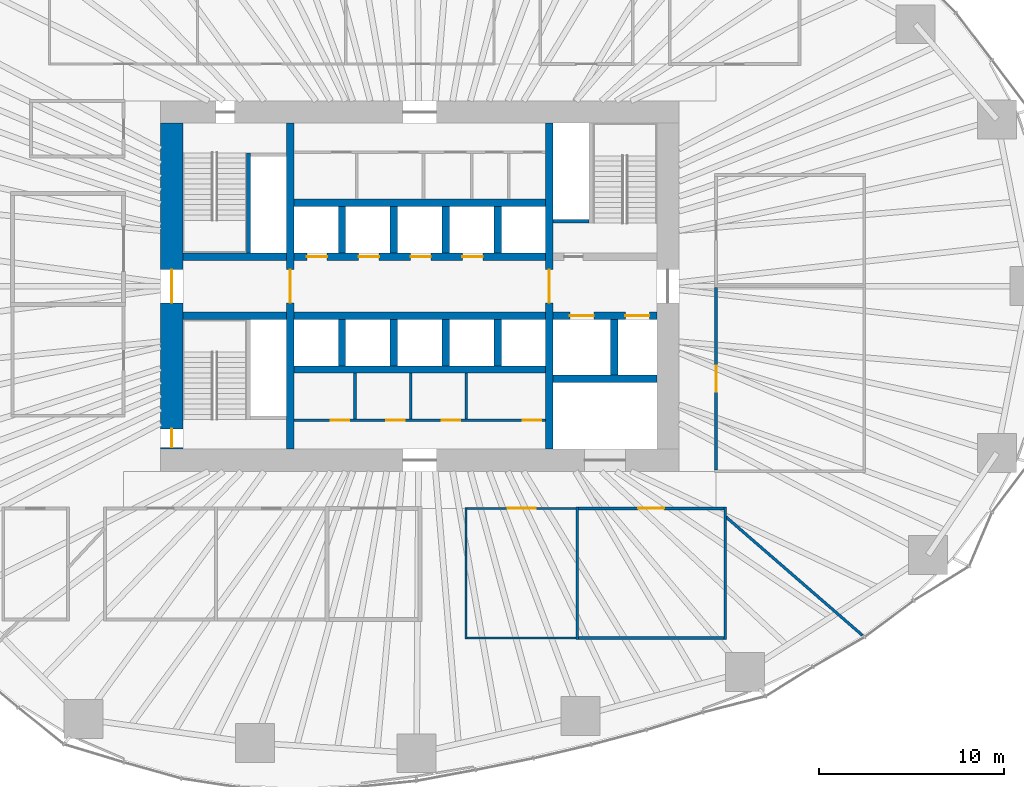
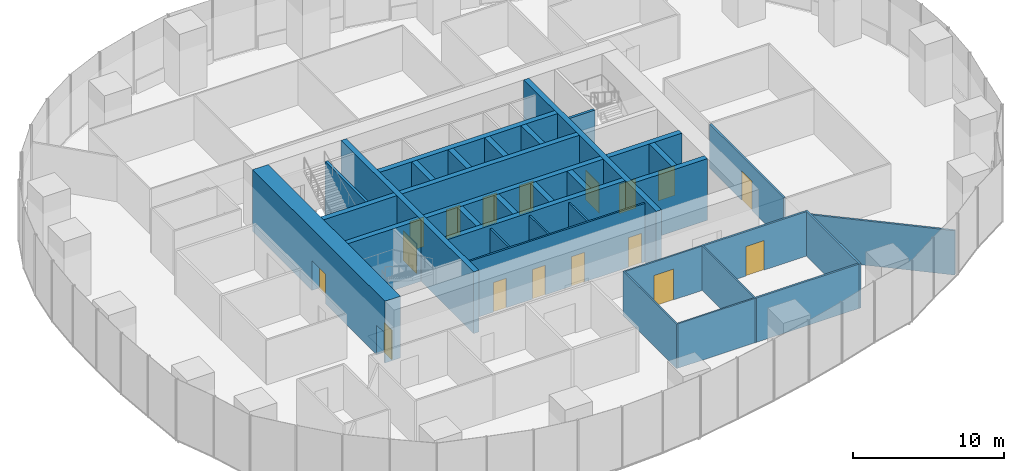
# One storey, part 10 of 20: 35 walls, 17 doors, 17 openings.
"""IFC4 building model written with IfcOpenShell, lengths in metres."""

from ifc_helpers import new_model, si_unit, direction, frame, frame_2d, origin, place, context, subcontext, project, spatial, rectangle, extrude, material, layer, layer_set, type_object, element, fill, save


model = new_model("IFC4")

# Units and contexts
model_context = context("Model", 3, precision=1e-05, world=origin(), true_north=direction((0.0, 1.0)))
body_context = subcontext(model_context, "Body", "Model", "MODEL_VIEW")
ifc_project = project(units=[si_unit("LENGTHUNIT", "METRE"), si_unit("AREAUNIT", "SQUARE_METRE"), si_unit("VOLUMEUNIT", "CUBIC_METRE"), si_unit("PLANEANGLEUNIT", "RADIAN"), si_unit("MASSUNIT", "GRAM", prefix="KILO")], contexts=[model_context])

# Site, building, storey
site_placement = place(None, origin())
site = spatial("IfcSite", under=ifc_project, at=site_placement, CompositionType="ELEMENT")
building_placement = place(site_placement, origin())
building = spatial("IfcBuilding", under=site, at=building_placement, Name="Ghaith Harvest Tower", CompositionType="ELEMENT")
storey_placement = place(building_placement, frame((0.0, 0.0, 30.0)))
storey = spatial("IfcBuildingStorey", under=building, at=storey_placement, Name="L06", CompositionType="ELEMENT", Elevation=30.0)

# Wall, openings, doors
ifc_material_1 = material(Name="Concrete blockwork, fair-faced", Category="masonry")
ifc_layer_1 = layer(ifc_material_1, 0.139892578125)
ifc_layer_set_1 = layer_set([ifc_layer_1], Name="CORE PARTITION 140")
wall_type_1 = type_object("IfcWallType", Name="CORE PARTITION 140", PredefinedType="PARTITIONING", material=ifc_layer_set_1)
wall_1_placement = place(storey_placement, frame((-6.800048828125, -7.22998046875, 0.0), z_axis=(0.0, 0.0, 1.0), x_axis=(1.0, 0.0, 0.0)))
wall_1 = element("IfcWall", 1, at=wall_1_placement, inside=storey, type_object=wall_type_1, Name="Core partition L06", PredefinedType="PARTITIONING", context=body_context, shape_type="SweptSolid", body=[
    extrude(rectangle(XDim=13.60009765625, YDim=0.139892578125, at=frame_2d((6.800048828125, 0.0))), origin(), (0.0, 0.0, 1.0), 4.75),
])
opening_1_placement = place(wall_1_placement, frame((1.97998046875, 0.0, 0.0)))
opening_1 = element("IfcOpeningElement", 2, at=opening_1_placement, cuts=wall_1, Name="Opening 06-013", PredefinedType="OPENING", context=body_context, shape_type="SweptSolid", body=[
    extrude(rectangle(XDim=1.0, YDim=2.39990234375, at=frame_2d((0.5, 1.199951171875))), frame((0.0, 0.080078125, 0.0), z_axis=(0.0, -1.0, 0.0), x_axis=(1.0, 0.0, 0.0)), (0.0, 0.0, 1.0), 0.159912109375),
])
opening_2_placement = place(wall_1_placement, frame((4.97998046875, 0.0, 0.0)))
opening_2 = element("IfcOpeningElement", 3, at=opening_2_placement, cuts=wall_1, Name="Opening 06-014", PredefinedType="OPENING", context=body_context, shape_type="SweptSolid", body=[
    extrude(rectangle(XDim=1.0, YDim=2.39990234375, at=frame_2d((0.5, 1.199951171875))), frame((0.0, 0.080078125, 0.0), z_axis=(0.0, -1.0, 0.0), x_axis=(1.0, 0.0, 0.0)), (0.0, 0.0, 1.0), 0.159912109375),
])
opening_3_placement = place(wall_1_placement, frame((7.97998046875, 0.0, 0.0)))
opening_3 = element("IfcOpeningElement", 4, at=opening_3_placement, cuts=wall_1, Name="Opening 06-015", PredefinedType="OPENING", context=body_context, shape_type="SweptSolid", body=[
    extrude(rectangle(XDim=1.0, YDim=2.39990234375, at=frame_2d((0.5, 1.199951171875))), frame((0.0, 0.080078125, 0.0), z_axis=(0.0, -1.0, 0.0), x_axis=(1.0, 0.0, 0.0)), (0.0, 0.0, 1.0), 0.159912109375),
])
opening_4_placement = place(wall_1_placement, frame((12.35009765625, 0.0, 0.0)))
opening_4 = element("IfcOpeningElement", 5, at=opening_4_placement, cuts=wall_1, Name="Opening 06-016", PredefinedType="OPENING", context=body_context, shape_type="SweptSolid", body=[
    extrude(rectangle(XDim=1.0, YDim=2.39990234375, at=frame_2d((0.5, 1.199951171875))), frame((0.0, 0.080078125, 0.0), z_axis=(0.0, -1.0, 0.0), x_axis=(1.0, 0.0, 0.0)), (0.0, 0.0, 1.0), 0.159912109375),
])
ifc_material_2 = material(Name="Steel fire door", Category="steel")
door_type_1 = type_object("IfcDoorType", Name="D3 FD90 1000x2400", OperationType="SINGLE_SWING_LEFT", PredefinedType="DOOR", material=ifc_material_2)
door_1_placement = place(opening_1_placement, origin())
door_1 = element("IfcDoor", 6, at=door_1_placement, inside=storey, type_object=door_type_1, Name="Electrical room door", OperationType="SINGLE_SWING_LEFT", OverallHeight=2.39990234375, OverallWidth=1.0, PredefinedType="DOOR", context=body_context, shape_type="SweptSolid", body=[
    extrude(rectangle(XDim=1.0, YDim=2.39990234375, at=frame_2d((0.5, 1.199951171875))), frame((0.0, 0.02490234375, 0.0), z_axis=(0.0, -1.0, 0.0), x_axis=(1.0, 0.0, 0.0)), (0.0, 0.0, 1.0), 0.050048828125),
])
fill(opening_1, door_1)
door_2_placement = place(opening_2_placement, origin())
door_2 = element("IfcDoor", 7, at=door_2_placement, inside=storey, type_object=door_type_1, Name="IT equipment room door", OperationType="SINGLE_SWING_LEFT", OverallHeight=2.39990234375, OverallWidth=1.0, PredefinedType="DOOR", context=body_context, shape_type="SweptSolid", body=[
    extrude(rectangle(XDim=1.0, YDim=2.39990234375, at=frame_2d((0.5, 1.199951171875))), frame((0.0, 0.02490234375, 0.0), z_axis=(0.0, -1.0, 0.0), x_axis=(1.0, 0.0, 0.0)), (0.0, 0.0, 1.0), 0.050048828125),
])
fill(opening_2, door_2)
door_3_placement = place(opening_3_placement, origin())
door_3 = element("IfcDoor", 8, at=door_3_placement, inside=storey, type_object=door_type_1, Name="Tea point door", OperationType="SINGLE_SWING_RIGHT", OverallHeight=2.39990234375, OverallWidth=1.0, PredefinedType="DOOR", context=body_context, shape_type="SweptSolid", body=[
    extrude(rectangle(XDim=1.0, YDim=2.39990234375, at=frame_2d((0.5, 1.199951171875))), frame((0.0, 0.02490234375, 0.0), z_axis=(0.0, -1.0, 0.0), x_axis=(1.0, 0.0, 0.0)), (0.0, 0.0, 1.0), 0.050048828125),
])
fill(opening_3, door_3)
door_4_placement = place(opening_4_placement, origin())
door_4 = element("IfcDoor", 9, at=door_4_placement, inside=storey, type_object=door_type_1, Name="Riser room door", OperationType="SINGLE_SWING_RIGHT", OverallHeight=2.39990234375, OverallWidth=1.0, PredefinedType="DOOR", context=body_context, shape_type="SweptSolid", body=[
    extrude(rectangle(XDim=1.0, YDim=2.39990234375, at=frame_2d((0.5, 1.199951171875))), frame((0.0, 0.02490234375, 0.0), z_axis=(0.0, -1.0, 0.0), x_axis=(1.0, 0.0, 0.0)), (0.0, 0.0, 1.0), 0.050048828125),
])
fill(opening_4, door_4)

# Walls
for number, where, z_axis, x_axis, name in (
    (10, (-3.5, -4.699951171875, 0.0), (0.0, 0.0, 1.0), (0.0, -1.0, 0.0), "Core partition L06"),
    (11, (-0.5, -4.699951171875, 0.0), (0.0, 0.0, 1.0), (0.0, -1.0, 0.0), "Core partition L06"),
    (12, (2.5, -4.699951171875, 0.0), (0.0, 0.0, 1.0), (0.0, -1.0, 0.0), "Core partition L06"),
):
    element("IfcWall", number, at=place(storey_placement, frame(where, z_axis=z_axis, x_axis=x_axis)), inside=storey, type_object=wall_type_1, Name=name, PredefinedType="PARTITIONING", context=body_context, shape_type="SweptSolid", body=[
        extrude(rectangle(XDim=2.4599609375, YDim=0.139892578125, at=frame_2d((1.22998046875, 0.0))), origin(), (0.0, 0.0, 1.0), 4.75),
    ])

# Wall, openings, doors
ifc_material_3 = material(Name="Concrete C70/85", Category="concrete")
ifc_layer_2 = layer(ifc_material_3, 1.199951171875)
ifc_layer_set_2 = layer_set([ifc_layer_2], Name="CORE WALL CW1200")
wall_type_2 = type_object("IfcWallType", Name="CORE WALL CW1200", PredefinedType="SHEAR", material=ifc_layer_set_2)
wall_2_placement = place(storey_placement, frame((-13.39990234375, 8.800048828125, 0.0), z_axis=(0.0, 0.0, 1.0), x_axis=(0.0, -1.0, 0.0)))
wall_2 = element("IfcWall", 13, at=wall_2_placement, inside=storey, type_object=wall_type_2, Name="Core wall W L06", PredefinedType="SHEAR", context=body_context, shape_type="SweptSolid", body=[
    extrude(rectangle(XDim=17.60009765625, YDim=1.199951171875, at=frame_2d((8.800048828125, 0.0))), origin(), (0.0, 0.0, 1.0), 5.0),
])
opening_5_placement = place(wall_2_placement, frame((7.89990234375, 0.0, 0.0)))
opening_5 = element("IfcOpeningElement", 14, at=opening_5_placement, cuts=wall_2, Name="Opening 06-001", PredefinedType="OPENING", context=body_context, shape_type="SweptSolid", body=[
    extrude(rectangle(XDim=1.800048828125, YDim=2.39990234375, at=frame_2d((0.89990234375, 1.199951171875))), frame((0.0, 0.60986328125, 0.0), z_axis=(0.0, -1.0, 0.0), x_axis=(1.0, 0.0, 0.0)), (0.0, 0.0, 1.0), 1.219970703125),
])
opening_6_placement = place(wall_2_placement, frame((16.5, 0.0, 0.0)))
opening_6 = element("IfcOpeningElement", 15, at=opening_6_placement, cuts=wall_2, Name="Opening 06-006", PredefinedType="OPENING", context=body_context, shape_type="SweptSolid", body=[
    extrude(rectangle(XDim=1.0, YDim=2.39990234375, at=frame_2d((0.5, 1.199951171875))), frame((0.0, 0.60986328125, 0.0), z_axis=(0.0, -1.0, 0.0), x_axis=(1.0, 0.0, 0.0)), (0.0, 0.0, 1.0), 1.219970703125),
])
door_5_placement = place(opening_6_placement, origin())
door_5 = element("IfcDoor", 16, at=door_5_placement, inside=storey, type_object=door_type_1, Name="Stair ST3 door", OperationType="SINGLE_SWING_RIGHT", OverallHeight=2.39990234375, OverallWidth=1.0, PredefinedType="DOOR", context=body_context, shape_type="SweptSolid", body=[
    extrude(rectangle(XDim=1.0, YDim=2.39990234375, at=frame_2d((0.5, 1.199951171875))), frame((0.0, 0.02490234375, 0.0), z_axis=(0.0, -1.0, 0.0), x_axis=(1.0, 0.0, 0.0)), (0.0, 0.0, 1.0), 0.050048828125),
])
fill(opening_6, door_5)
ifc_material_4 = material(Name="Steel fire door", Category="steel")
door_type_2 = type_object("IfcDoorType", Name="D4 FD90 PAIR 1800x2400", OperationType="DOUBLE_DOOR_SINGLE_SWING", PredefinedType="DOOR", material=ifc_material_4)
door_6_placement = place(opening_5_placement, origin())
door_6 = element("IfcDoor", 17, at=door_6_placement, inside=storey, type_object=door_type_2, Name="West lobby doors", OperationType="DOUBLE_DOOR_SINGLE_SWING", OverallHeight=2.39990234375, OverallWidth=1.800048828125, PredefinedType="DOOR", context=body_context, shape_type="SweptSolid", body=[
    extrude(rectangle(XDim=1.800048828125, YDim=2.39990234375, at=frame_2d((0.89990234375, 1.199951171875))), frame((0.0, 0.02490234375, 0.0), z_axis=(0.0, -1.0, 0.0), x_axis=(1.0, 0.0, 0.0)), (0.0, 0.0, 1.0), 0.050048828125),
])
fill(opening_5, door_6)

# Walls
ifc_material_5 = material(Name="Insulated food-grade panel", Category="steel")
ifc_layer_3 = layer(ifc_material_5, 0.1201171875)
ifc_layer_set_3 = layer_set([ifc_layer_3], Name="INSULATED PANEL WALL 120")
wall_type_3 = type_object("IfcWallType", Name="INSULATED PANEL WALL 120", PredefinedType="PARTITIONING", material=ifc_layer_set_3)
wall_3_placement = place(storey_placement, frame((2.5, -11.93994140625, 0.0), z_axis=(0.0, 0.0, 1.0), x_axis=(0.0, -1.0, 0.0)))
element("IfcWall", 18, at=wall_3_placement, inside=storey, type_object=wall_type_3, Name="Partition L06 row S5 cross wall 1", PredefinedType="PARTITIONING", context=body_context, shape_type="SweptSolid", body=[
    extrude(rectangle(XDim=7.1201171875, YDim=0.1201171875, at=frame_2d((3.56005859375, 0.0))), origin(), (0.0, 0.0, 1.0), 3.60009765625),
])
wall_4_placement = place(storey_placement, frame((8.5, -11.925048828125, 0.0), z_axis=(0.0, 0.0, 1.0), x_axis=(0.0, -1.0, 0.0)))
element("IfcWall", 19, at=wall_4_placement, inside=storey, type_object=wall_type_3, Name="Partition L06 row S5 cross wall 2", PredefinedType="PARTITIONING", context=body_context, shape_type="SweptSolid", body=[
    extrude(rectangle(XDim=7.14990234375, YDim=0.1201171875, at=frame_2d((3.574951171875, 0.0))), origin(), (0.0, 0.0, 1.0), 3.60009765625),
])

# Wall, opening, door
wall_5_placement = place(storey_placement, frame((2.56005859375, -12.0, 0.0), z_axis=(0.0, 0.0, 1.0), x_axis=(1.0, 0.0, 0.0)))
wall_5 = element("IfcWall", 20, at=wall_5_placement, inside=storey, type_object=wall_type_3, Name="Partition L06-10", PredefinedType="PARTITIONING", context=body_context, shape_type="SweptSolid", body=[
    extrude(rectangle(XDim=5.8798828125, YDim=0.1201171875, at=frame_2d((2.93994140625, 0.0))), origin(), (0.0, 0.0, 1.0), 3.60009765625),
])
opening_7_placement = place(wall_5_placement, frame((2.18994140625, 0.0, 0.0)))
opening_7 = element("IfcOpeningElement", 21, at=opening_7_placement, cuts=wall_5, Name="Opening 06-035", PredefinedType="OPENING", context=body_context, shape_type="SweptSolid", body=[
    extrude(rectangle(XDim=1.5, YDim=2.5, at=frame_2d((0.75, 1.25))), frame((0.0, 0.070068359375, 0.0), z_axis=(0.0, -1.0, 0.0), x_axis=(1.0, 0.0, 0.0)), (0.0, 0.0, 1.0), 0.14013671875),
])
ifc_material_6 = material(Name="Insulated steel sliding door", Category="steel")
door_type_3 = type_object("IfcDoorType", Name="D13 COLD STORE SLIDING 1500x2500", OperationType="SLIDING_TO_LEFT", PredefinedType="DOOR", material=ifc_material_6)
door_7_placement = place(opening_7_placement, origin())
door_7 = element("IfcDoor", 22, at=door_7_placement, inside=storey, type_object=door_type_3, Name="Cold store door", OperationType="SLIDING_TO_LEFT", OverallHeight=2.5, OverallWidth=1.5, PredefinedType="DOOR", context=body_context, shape_type="SweptSolid", body=[
    extrude(rectangle(XDim=1.5, YDim=2.5, at=frame_2d((0.75, 1.25))), frame((0.0, 0.02490234375, 0.0), z_axis=(0.0, -1.0, 0.0), x_axis=(1.0, 0.0, 0.0)), (0.0, 0.0, 1.0), 0.050048828125),
])
fill(opening_7, door_7)

# Wall
wall_6_placement = place(storey_placement, frame((2.56005859375, -19.0, 0.0), z_axis=(0.0, 0.0, 1.0), x_axis=(1.0, 0.0, 0.0)))
element("IfcWall", 23, at=wall_6_placement, inside=storey, type_object=wall_type_3, Name="Partition L06-10", PredefinedType="PARTITIONING", context=body_context, shape_type="SweptSolid", body=[
    extrude(rectangle(XDim=5.8798828125, YDim=0.1201171875, at=frame_2d((2.93994140625, 0.0))), origin(), (0.0, 0.0, 1.0), 3.60009765625),
])

# Wall, opening, door
ifc_material_7 = material(Name="Gypsum board on steel studs", Category="steel")
ifc_layer_4 = layer(ifc_material_7, 0.14990234375)
ifc_layer_set_4 = layer_set([ifc_layer_4], Name="PARTITION 150")
wall_type_4 = type_object("IfcWallType", Name="PARTITION 150", PredefinedType="PARTITIONING", material=ifc_layer_set_4)
wall_7_placement = place(storey_placement, frame((16.0, -9.925048828125, 0.0), z_axis=(0.0, 0.0, 1.0), x_axis=(0.0, 1.0, 0.0)))
wall_7 = element("IfcWall", 24, at=wall_7_placement, inside=storey, type_object=wall_type_4, Name="Partition L06-05", PredefinedType="PARTITIONING", context=body_context, shape_type="SweptSolid", body=[
    extrude(rectangle(XDim=9.85009765625, YDim=0.14990234375, at=frame_2d((4.925048828125, 0.0))), origin(), (0.0, 0.0, 1.0), 3.60009765625),
])
opening_8_placement = place(wall_7_placement, frame((4.22509765625, 0.0, 0.0)))
opening_8 = element("IfcOpeningElement", 25, at=opening_8_placement, cuts=wall_7, Name="Opening 06-030", PredefinedType="OPENING", context=body_context, shape_type="SweptSolid", body=[
    extrude(rectangle(XDim=1.39990234375, YDim=2.39990234375, at=frame_2d((0.699951171875, 1.199951171875))), frame((0.0, 0.0849609375, 0.0), z_axis=(0.0, -1.0, 0.0), x_axis=(1.0, 0.0, 0.0)), (0.0, 0.0, 1.0), 0.169921875),
])
ifc_material_8 = material(Name="Stainless steel faced door pair", Category="steel")
door_type_4 = type_object("IfcDoorType", Name="D14 HYGIENE PAIR 1400x2400", OperationType="DOUBLE_DOOR_DOUBLE_SWING", PredefinedType="DOOR", material=ifc_material_8)
door_8_placement = place(opening_8_placement, origin())
door_8 = element("IfcDoor", 26, at=door_8_placement, inside=storey, type_object=door_type_4, Name="Transplanting room door", OperationType="DOUBLE_DOOR_DOUBLE_SWING", OverallHeight=2.39990234375, OverallWidth=1.39990234375, PredefinedType="DOOR", context=body_context, shape_type="SweptSolid", body=[
    extrude(rectangle(XDim=1.39990234375, YDim=2.39990234375, at=frame_2d((0.699951171875, 1.199951171875))), frame((0.0, 0.02490234375, 0.0), z_axis=(0.0, -1.0, 0.0), x_axis=(1.0, 0.0, 0.0)), (0.0, 0.0, 1.0), 0.050048828125),
])
fill(opening_8, door_8)

# Wall
wall_8_placement = place(storey_placement, frame((16.5, -11.925048828125, 0.0), z_axis=(0.0, 0.0, 1.0), x_axis=(0.0, -1.0, 0.0)))
element("IfcWall", 27, at=wall_8_placement, inside=storey, type_object=wall_type_4, Name="Partition L06 row S5 cross wall 3", PredefinedType="PARTITIONING", context=body_context, shape_type="SweptSolid", body=[
    extrude(rectangle(XDim=7.14990234375, YDim=0.14990234375, at=frame_2d((3.574951171875, 0.0))), origin(), (0.0, 0.0, 1.0), 3.60009765625),
])

# Wall, opening, door
wall_9_placement = place(storey_placement, frame((8.56005859375, -12.0, 0.0), z_axis=(0.0, 0.0, 1.0), x_axis=(1.0, 0.0, 0.0)))
wall_9 = element("IfcWall", 28, at=wall_9_placement, inside=storey, type_object=wall_type_4, Name="Partition L06-11", PredefinedType="PARTITIONING", context=body_context, shape_type="SweptSolid", body=[
    extrude(rectangle(XDim=7.864990234375, YDim=0.14990234375, at=frame_2d((3.9326171875, 0.0))), origin(), (0.0, 0.0, 1.0), 3.60009765625),
])
opening_9_placement = place(wall_9_placement, frame((3.232421875, 0.0, 0.0)))
opening_9 = element("IfcOpeningElement", 29, at=opening_9_placement, cuts=wall_9, Name="Opening 06-036", PredefinedType="OPENING", context=body_context, shape_type="SweptSolid", body=[
    extrude(rectangle(XDim=1.39990234375, YDim=2.39990234375, at=frame_2d((0.699951171875, 1.199951171875))), frame((0.0, 0.0849609375, 0.0), z_axis=(0.0, -1.0, 0.0), x_axis=(1.0, 0.0, 0.0)), (0.0, 0.0, 1.0), 0.169921875),
])
door_9_placement = place(opening_9_placement, origin())
door_9 = element("IfcDoor", 30, at=door_9_placement, inside=storey, type_object=door_type_4, Name="Packing room door", OperationType="DOUBLE_DOOR_DOUBLE_SWING", OverallHeight=2.39990234375, OverallWidth=1.39990234375, PredefinedType="DOOR", context=body_context, shape_type="SweptSolid", body=[
    extrude(rectangle(XDim=1.39990234375, YDim=2.39990234375, at=frame_2d((0.699951171875, 1.199951171875))), frame((0.0, 0.02490234375, 0.0), z_axis=(0.0, -1.0, 0.0), x_axis=(1.0, 0.0, 0.0)), (0.0, 0.0, 1.0), 0.050048828125),
])
fill(opening_9, door_9)

# Walls
wall_10_placement = place(storey_placement, frame((8.56005859375, -19.0, 0.0), z_axis=(0.0, 0.0, 1.0), x_axis=(1.0, 0.0, 0.0)))
element("IfcWall", 31, at=wall_10_placement, inside=storey, type_object=wall_type_4, Name="Partition L06-11", PredefinedType="PARTITIONING", context=body_context, shape_type="SweptSolid", body=[
    extrude(rectangle(XDim=7.864990234375, YDim=0.14990234375, at=frame_2d((3.9326171875, 0.0))), origin(), (0.0, 0.0, 1.0), 3.60009765625),
])
wall_11_placement = place(storey_placement, frame((16.52001953125, -12.450927734375, 0.0), z_axis=(0.0, 0.0, 1.0), x_axis=(0.75543039702, -0.655228902947, 0.0)))
element("IfcWall", 32, at=wall_11_placement, inside=storey, type_object=wall_type_4, Name="Partition L06 zone division", PredefinedType="PARTITIONING", context=body_context, shape_type="SweptSolid", body=[
    extrude(rectangle(XDim=9.780029296875, YDim=0.14990234375, at=frame_2d((4.89013671875, 0.0))), origin(), (0.0, 0.0, 1.0), 3.60009765625),
])

# Wall, opening, door
ifc_material_9 = material(Name="Concrete C70/85", Category="concrete")
ifc_layer_5 = layer(ifc_material_9, 0.39990234375)
ifc_layer_set_5 = layer_set([ifc_layer_5], Name="SHAFT WALL 400")
wall_type_5 = type_object("IfcWallType", Name="SHAFT WALL 400", PredefinedType="SHEAR", material=ifc_layer_set_5)
wall_12_placement = place(storey_placement, frame((-7.0, -8.800048828125, 0.0), z_axis=(0.0, 0.0, 1.0), x_axis=(0.0, 1.0, 0.0)))
wall_12 = element("IfcWall", 33, at=wall_12_placement, inside=storey, type_object=wall_type_5, Name="Shaft wall W7W L06", PredefinedType="SHEAR", context=body_context, shape_type="SweptSolid", body=[
    extrude(rectangle(XDim=17.60009765625, YDim=0.39990234375, at=frame_2d((8.800048828125, 0.0))), origin(), (0.0, 0.0, 1.0), 5.0),
])
opening_10_placement = place(wall_12_placement, frame((7.89990234375, 0.0, 0.0)))
opening_10 = element("IfcOpeningElement", 34, at=opening_10_placement, cuts=wall_12, Name="Opening 06-003", PredefinedType="OPENING", context=body_context, shape_type="SweptSolid", body=[
    extrude(rectangle(XDim=1.800048828125, YDim=2.39990234375, at=frame_2d((0.89990234375, 1.199951171875))), frame((0.0, 0.2099609375, 0.0), z_axis=(0.0, -1.0, 0.0), x_axis=(1.0, 0.0, 0.0)), (0.0, 0.0, 1.0), 0.419921875),
])
door_10_placement = place(opening_10_placement, origin())
door_10 = element("IfcDoor", 35, at=door_10_placement, inside=storey, type_object=door_type_2, Name="Lift lobby doors, west", OperationType="DOUBLE_DOOR_SINGLE_SWING", OverallHeight=2.39990234375, OverallWidth=1.800048828125, PredefinedType="DOOR", context=body_context, shape_type="SweptSolid", body=[
    extrude(rectangle(XDim=1.800048828125, YDim=2.39990234375, at=frame_2d((0.89990234375, 1.199951171875))), frame((0.0, 0.02490234375, 0.0), z_axis=(0.0, -1.0, 0.0), x_axis=(1.0, 0.0, 0.0)), (0.0, 0.0, 1.0), 0.050048828125),
])
fill(opening_10, door_10)

wall_13_placement = place(storey_placement, frame((7.0, -8.800048828125, 0.0), z_axis=(0.0, 0.0, 1.0), x_axis=(0.0, 1.0, 0.0)))
wall_13 = element("IfcWall", 36, at=wall_13_placement, inside=storey, type_object=wall_type_5, Name="Shaft wall W7E L06", PredefinedType="SHEAR", context=body_context, shape_type="SweptSolid", body=[
    extrude(rectangle(XDim=17.60009765625, YDim=0.39990234375, at=frame_2d((8.800048828125, 0.0))), origin(), (0.0, 0.0, 1.0), 5.0),
])
opening_11_placement = place(wall_13_placement, frame((7.89990234375, 0.0, 0.0)))
opening_11 = element("IfcOpeningElement", 37, at=opening_11_placement, cuts=wall_13, Name="Opening 06-004", PredefinedType="OPENING", context=body_context, shape_type="SweptSolid", body=[
    extrude(rectangle(XDim=1.800048828125, YDim=2.39990234375, at=frame_2d((0.89990234375, 1.199951171875))), frame((0.0, 0.2099609375, 0.0), z_axis=(0.0, -1.0, 0.0), x_axis=(1.0, 0.0, 0.0)), (0.0, 0.0, 1.0), 0.419921875),
])
door_11_placement = place(opening_11_placement, origin())
door_11 = element("IfcDoor", 38, at=door_11_placement, inside=storey, type_object=door_type_2, Name="Lift lobby doors, east", OperationType="DOUBLE_DOOR_SINGLE_SWING", OverallHeight=2.39990234375, OverallWidth=1.800048828125, PredefinedType="DOOR", context=body_context, shape_type="SweptSolid", body=[
    extrude(rectangle(XDim=1.800048828125, YDim=2.39990234375, at=frame_2d((0.89990234375, 1.199951171875))), frame((0.0, 0.02490234375, 0.0), z_axis=(0.0, -1.0, 0.0), x_axis=(1.0, 0.0, 0.0)), (0.0, 0.0, 1.0), 0.050048828125),
])
fill(opening_11, door_11)

# Wall, openings, doors
wall_14_placement = place(storey_placement, frame((-6.800048828125, 1.60009765625, 0.0), z_axis=(0.0, 0.0, 1.0), x_axis=(1.0, 0.0, 0.0)))
wall_14 = element("IfcWall", 39, at=wall_14_placement, inside=storey, type_object=wall_type_5, Name="Shaft wall LN L06", PredefinedType="SHEAR", context=body_context, shape_type="SweptSolid", body=[
    extrude(rectangle(XDim=13.60009765625, YDim=0.39990234375, at=frame_2d((6.800048828125, 0.0))), origin(), (0.0, 0.0, 1.0), 5.0),
])
opening_12_placement = place(wall_14_placement, frame((0.699951171875, 0.0, 0.0)))
opening_12 = element("IfcOpeningElement", 40, at=opening_12_placement, cuts=wall_14, Name="Opening 06-019", PredefinedType="OPENING", context=body_context, shape_type="SweptSolid", body=[
    extrude(rectangle(XDim=1.10009765625, YDim=2.39990234375, at=frame_2d((0.550048828125, 1.199951171875))), frame((0.0, 0.2099609375, 0.0), z_axis=(0.0, -1.0, 0.0), x_axis=(1.0, 0.0, 0.0)), (0.0, 0.0, 1.0), 0.419921875),
])
opening_13_placement = place(wall_14_placement, frame((3.5, 0.0, 0.0)))
opening_13 = element("IfcOpeningElement", 41, at=opening_13_placement, cuts=wall_14, Name="Opening 06-020", PredefinedType="OPENING", context=body_context, shape_type="SweptSolid", body=[
    extrude(rectangle(XDim=1.10009765625, YDim=2.39990234375, at=frame_2d((0.550048828125, 1.199951171875))), frame((0.0, 0.2099609375, 0.0), z_axis=(0.0, -1.0, 0.0), x_axis=(1.0, 0.0, 0.0)), (0.0, 0.0, 1.0), 0.419921875),
])
opening_14_placement = place(wall_14_placement, frame((6.300048828125, 0.0, 0.0)))
opening_14 = element("IfcOpeningElement", 42, at=opening_14_placement, cuts=wall_14, Name="Opening 06-021", PredefinedType="OPENING", context=body_context, shape_type="SweptSolid", body=[
    extrude(rectangle(XDim=1.10009765625, YDim=2.39990234375, at=frame_2d((0.550048828125, 1.199951171875))), frame((0.0, 0.2099609375, 0.0), z_axis=(0.0, -1.0, 0.0), x_axis=(1.0, 0.0, 0.0)), (0.0, 0.0, 1.0), 0.419921875),
])
opening_15_placement = place(wall_14_placement, frame((9.10009765625, 0.0, 0.0)))
opening_15 = element("IfcOpeningElement", 43, at=opening_15_placement, cuts=wall_14, Name="Opening 06-022", PredefinedType="OPENING", context=body_context, shape_type="SweptSolid", body=[
    extrude(rectangle(XDim=1.10009765625, YDim=2.39990234375, at=frame_2d((0.550048828125, 1.199951171875))), frame((0.0, 0.2099609375, 0.0), z_axis=(0.0, -1.0, 0.0), x_axis=(1.0, 0.0, 0.0)), (0.0, 0.0, 1.0), 0.419921875),
])
ifc_material_10 = material(Name="Steel fire door", Category="steel")
door_type_5 = type_object("IfcDoorType", Name="LD1 LANDING 1100x2400", OperationType="DOUBLE_DOOR_SLIDING", PredefinedType="DOOR", material=ifc_material_10)
door_12_placement = place(opening_12_placement, origin())
door_12 = element("IfcDoor", 44, at=door_12_placement, inside=storey, type_object=door_type_5, Name="Landing door, lift FA1", OperationType="DOUBLE_DOOR_SLIDING", OverallHeight=2.39990234375, OverallWidth=1.10009765625, PredefinedType="DOOR", context=body_context, shape_type="SweptSolid", body=[
    extrude(rectangle(XDim=1.10009765625, YDim=2.39990234375, at=frame_2d((0.550048828125, 1.199951171875))), frame((0.0, 0.02490234375, 0.0), z_axis=(0.0, -1.0, 0.0), x_axis=(1.0, 0.0, 0.0)), (0.0, 0.0, 1.0), 0.050048828125),
])
fill(opening_12, door_12)
door_13_placement = place(opening_13_placement, origin())
door_13 = element("IfcDoor", 45, at=door_13_placement, inside=storey, type_object=door_type_5, Name="Landing door, lift FA2", OperationType="DOUBLE_DOOR_SLIDING", OverallHeight=2.39990234375, OverallWidth=1.10009765625, PredefinedType="DOOR", context=body_context, shape_type="SweptSolid", body=[
    extrude(rectangle(XDim=1.10009765625, YDim=2.39990234375, at=frame_2d((0.550048828125, 1.199951171875))), frame((0.0, 0.02490234375, 0.0), z_axis=(0.0, -1.0, 0.0), x_axis=(1.0, 0.0, 0.0)), (0.0, 0.0, 1.0), 0.050048828125),
])
fill(opening_13, door_13)
door_14_placement = place(opening_14_placement, origin())
door_14 = element("IfcDoor", 46, at=door_14_placement, inside=storey, type_object=door_type_5, Name="Landing door, lift FA3", OperationType="DOUBLE_DOOR_SLIDING", OverallHeight=2.39990234375, OverallWidth=1.10009765625, PredefinedType="DOOR", context=body_context, shape_type="SweptSolid", body=[
    extrude(rectangle(XDim=1.10009765625, YDim=2.39990234375, at=frame_2d((0.550048828125, 1.199951171875))), frame((0.0, 0.02490234375, 0.0), z_axis=(0.0, -1.0, 0.0), x_axis=(1.0, 0.0, 0.0)), (0.0, 0.0, 1.0), 0.050048828125),
])
fill(opening_14, door_14)
door_15_placement = place(opening_15_placement, origin())
door_15 = element("IfcDoor", 47, at=door_15_placement, inside=storey, type_object=door_type_5, Name="Landing door, lift FA4", OperationType="DOUBLE_DOOR_SLIDING", OverallHeight=2.39990234375, OverallWidth=1.10009765625, PredefinedType="DOOR", context=body_context, shape_type="SweptSolid", body=[
    extrude(rectangle(XDim=1.10009765625, YDim=2.39990234375, at=frame_2d((0.550048828125, 1.199951171875))), frame((0.0, 0.02490234375, 0.0), z_axis=(0.0, -1.0, 0.0), x_axis=(1.0, 0.0, 0.0)), (0.0, 0.0, 1.0), 0.050048828125),
])
fill(opening_15, door_15)

# Walls
for number, where, z_axis, x_axis, name in (
    (48, (-6.800048828125, -1.60009765625, 0.0), (0.0, 0.0, 1.0), (1.0, 0.0, 0.0), "Shaft wall LS L06"),
    (49, (-6.800048828125, 4.5, 0.0), (0.0, 0.0, 1.0), (1.0, 0.0, 0.0), "Shaft wall BN L06"),
    (50, (-6.800048828125, -4.5, 0.0), (0.0, 0.0, 1.0), (1.0, 0.0, 0.0), "Shaft wall BS L06"),
):
    element("IfcWall", number, at=place(storey_placement, frame(where, z_axis=z_axis, x_axis=x_axis)), inside=storey, type_object=wall_type_5, Name=name, PredefinedType="SHEAR", context=body_context, shape_type="SweptSolid", body=[
        extrude(rectangle(XDim=13.60009765625, YDim=0.39990234375, at=frame_2d((6.800048828125, 0.0))), origin(), (0.0, 0.0, 1.0), 5.0),
    ])
for number, where, z_axis, x_axis, name in (
    (51, (-12.800048828125, 1.60009765625, 0.0), (0.0, 0.0, 1.0), (1.0, 0.0, 0.0), "Shaft wall WN L06"),
    (52, (-12.800048828125, -1.60009765625, 0.0), (0.0, 0.0, 1.0), (1.0, 0.0, 0.0), "Shaft wall WS L06"),
):
    element("IfcWall", number, at=place(storey_placement, frame(where, z_axis=z_axis, x_axis=x_axis)), inside=storey, type_object=wall_type_5, Name=name, PredefinedType="SHEAR", context=body_context, shape_type="SweptSolid", body=[
        extrude(rectangle(XDim=5.60009765625, YDim=0.39990234375, at=frame_2d((2.800048828125, 0.0))), origin(), (0.0, 0.0, 1.0), 5.0),
    ])

# Wall, openings, doors
wall_15_placement = place(storey_placement, frame((7.199951171875, -1.60009765625, 0.0), z_axis=(0.0, 0.0, 1.0), x_axis=(1.0, 0.0, 0.0)))
wall_15 = element("IfcWall", 53, at=wall_15_placement, inside=storey, type_object=wall_type_5, Name="Shaft wall ES L06", PredefinedType="SHEAR", context=body_context, shape_type="SweptSolid", body=[
    extrude(rectangle(XDim=5.60009765625, YDim=0.39990234375, at=frame_2d((2.800048828125, 0.0))), origin(), (0.0, 0.0, 1.0), 5.0),
])
opening_16_placement = place(wall_15_placement, frame((0.89990234375, 0.0, 0.0)))
opening_16 = element("IfcOpeningElement", 54, at=opening_16_placement, cuts=wall_15, Name="Opening 06-023", PredefinedType="OPENING", context=body_context, shape_type="SweptSolid", body=[
    extrude(rectangle(XDim=1.300048828125, YDim=2.39990234375, at=frame_2d((0.64990234375, 1.199951171875))), frame((0.0, 0.2099609375, 0.0), z_axis=(0.0, -1.0, 0.0), x_axis=(1.0, 0.0, 0.0)), (0.0, 0.0, 1.0), 0.419921875),
])
opening_17_placement = place(wall_15_placement, frame((3.89990234375, 0.0, 0.0)))
opening_17 = element("IfcOpeningElement", 55, at=opening_17_placement, cuts=wall_15, Name="Opening 06-024", PredefinedType="OPENING", context=body_context, shape_type="SweptSolid", body=[
    extrude(rectangle(XDim=1.300048828125, YDim=2.39990234375, at=frame_2d((0.64990234375, 1.199951171875))), frame((0.0, 0.2099609375, 0.0), z_axis=(0.0, -1.0, 0.0), x_axis=(1.0, 0.0, 0.0)), (0.0, 0.0, 1.0), 0.419921875),
])
ifc_material_11 = material(Name="Steel fire door", Category="steel")
door_type_6 = type_object("IfcDoorType", Name="LD2 LANDING 1300x2400", OperationType="DOUBLE_DOOR_SLIDING", PredefinedType="DOOR", material=ifc_material_11)
door_16_placement = place(opening_16_placement, origin())
door_16 = element("IfcDoor", 56, at=door_16_placement, inside=storey, type_object=door_type_6, Name="Landing door, fire service lift FL1", OperationType="DOUBLE_DOOR_SLIDING", OverallHeight=2.39990234375, OverallWidth=1.300048828125, PredefinedType="DOOR", context=body_context, shape_type="SweptSolid", body=[
    extrude(rectangle(XDim=1.300048828125, YDim=2.39990234375, at=frame_2d((0.64990234375, 1.199951171875))), frame((0.0, 0.02490234375, 0.0), z_axis=(0.0, -1.0, 0.0), x_axis=(1.0, 0.0, 0.0)), (0.0, 0.0, 1.0), 0.050048828125),
])
fill(opening_16, door_16)
door_17_placement = place(opening_17_placement, origin())
door_17 = element("IfcDoor", 57, at=door_17_placement, inside=storey, type_object=door_type_6, Name="Landing door, fire service lift FL2", OperationType="DOUBLE_DOOR_SLIDING", OverallHeight=2.39990234375, OverallWidth=1.300048828125, PredefinedType="DOOR", context=body_context, shape_type="SweptSolid", body=[
    extrude(rectangle(XDim=1.300048828125, YDim=2.39990234375, at=frame_2d((0.64990234375, 1.199951171875))), frame((0.0, 0.02490234375, 0.0), z_axis=(0.0, -1.0, 0.0), x_axis=(1.0, 0.0, 0.0)), (0.0, 0.0, 1.0), 0.050048828125),
])
fill(opening_17, door_17)

# Walls
wall_16_placement = place(storey_placement, frame((10.5, -4.800048828125, 0.0), z_axis=(0.0, 0.0, 1.0), x_axis=(0.0, 1.0, 0.0)))
element("IfcWall", 58, at=wall_16_placement, inside=storey, type_object=wall_type_5, Name="Shaft wall FLD L06", PredefinedType="SHEAR", context=body_context, shape_type="SweptSolid", body=[
    extrude(rectangle(XDim=3.0, YDim=0.39990234375, at=frame_2d((1.5, 0.0))), origin(), (0.0, 0.0, 1.0), 5.0),
])
wall_17_placement = place(storey_placement, frame((7.199951171875, -5.0, 0.0), z_axis=(0.0, 0.0, 1.0), x_axis=(1.0, 0.0, 0.0)))
element("IfcWall", 59, at=wall_17_placement, inside=storey, type_object=wall_type_5, Name="Shaft wall FLB L06", PredefinedType="SHEAR", context=body_context, shape_type="SweptSolid", body=[
    extrude(rectangle(XDim=5.60009765625, YDim=0.39990234375, at=frame_2d((2.800048828125, 0.0))), origin(), (0.0, 0.0, 1.0), 5.0),
])
for number, where, z_axis, x_axis, name in (
    (60, (-4.199951171875, 1.800048828125, 0.0), (0.0, 0.0, 1.0), (0.0, 1.0, 0.0), "Shaft wall DN1 L06"),
    (61, (-4.199951171875, -4.300048828125, 0.0), (0.0, 0.0, 1.0), (0.0, 1.0, 0.0), "Shaft wall DS1 L06"),
    (62, (-1.39990234375, 1.800048828125, 0.0), (0.0, 0.0, 1.0), (0.0, 1.0, 0.0), "Shaft wall DN2 L06"),
    (63, (-1.39990234375, -4.300048828125, 0.0), (0.0, 0.0, 1.0), (0.0, 1.0, 0.0), "Shaft wall DS2 L06"),
    (64, (1.39990234375, 1.800048828125, 0.0), (0.0, 0.0, 1.0), (0.0, 1.0, 0.0), "Shaft wall DN3 L06"),
    (65, (1.39990234375, -4.300048828125, 0.0), (0.0, 0.0, 1.0), (0.0, 1.0, 0.0), "Shaft wall DS3 L06"),
    (66, (4.199951171875, 1.800048828125, 0.0), (0.0, 0.0, 1.0), (0.0, 1.0, 0.0), "Shaft wall DN4 L06"),
    (67, (4.199951171875, -4.300048828125, 0.0), (0.0, 0.0, 1.0), (0.0, 1.0, 0.0), "Shaft wall DS4 L06"),
):
    element("IfcWall", number, at=place(storey_placement, frame(where, z_axis=z_axis, x_axis=x_axis)), inside=storey, type_object=wall_type_5, Name=name, PredefinedType="SHEAR", context=body_context, shape_type="SweptSolid", body=[
        extrude(rectangle(XDim=2.5, YDim=0.39990234375, at=frame_2d((1.25, 0.0))), origin(), (0.0, 0.0, 1.0), 5.0),
    ])
ifc_material_12 = material(Name="Concrete C40/50", Category="concrete")
ifc_layer_6 = layer(ifc_material_12, 0.199951171875)
ifc_layer_set_6 = layer_set([ifc_layer_6], Name="STAIR SPINE WALL RC200")
wall_type_6 = type_object("IfcWallType", Name="STAIR SPINE WALL RC200", PredefinedType="SOLIDWALL", material=ifc_layer_set_6)
wall_18_placement = place(storey_placement, frame((-9.25, 7.199951171875, 0.0), z_axis=(0.0, 0.0, 1.0), x_axis=(0.0, -1.0, 0.0)))
element("IfcWall", 68, at=wall_18_placement, inside=storey, type_object=wall_type_6, Name="Stair ST1 spine wall L06", PredefinedType="SOLIDWALL", context=body_context, shape_type="SweptSolid", body=[
    extrude(rectangle(XDim=5.39990234375, YDim=0.199951171875, at=frame_2d((2.699951171875, 0.0))), origin(), (0.0, 0.0, 1.0), 5.0),
])
wall_19_placement = place(storey_placement, frame((9.14990234375, 3.5, 0.0), z_axis=(0.0, 0.0, 1.0), x_axis=(-1.0, 0.0, 0.0)))
element("IfcWall", 69, at=wall_19_placement, inside=storey, type_object=wall_type_6, Name="Stair ST2 spine wall return L06", PredefinedType="SOLIDWALL", context=body_context, shape_type="SweptSolid", body=[
    extrude(rectangle(XDim=1.949951171875, YDim=0.199951171875, at=frame_2d((0.97509765625, 0.0))), origin(), (0.0, 0.0, 1.0), 5.0),
])

save(model, "model.ifc")
